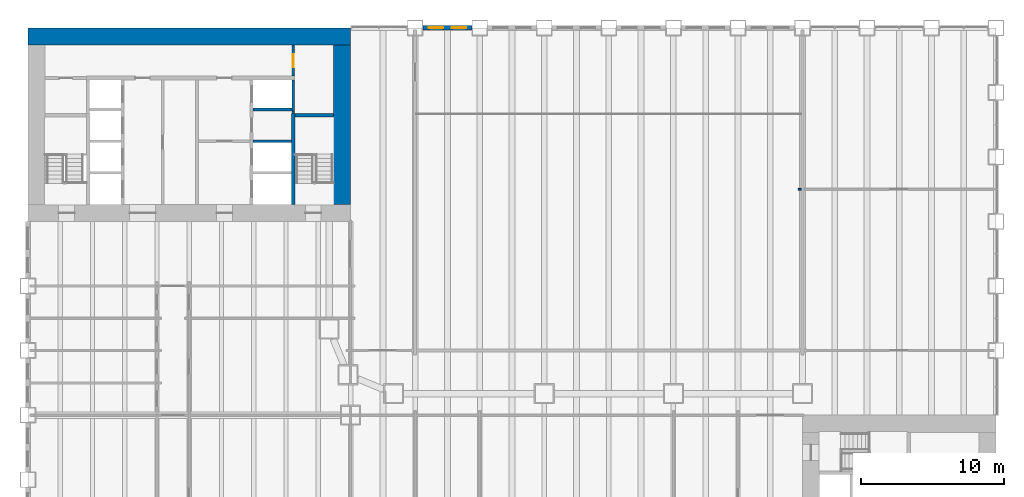
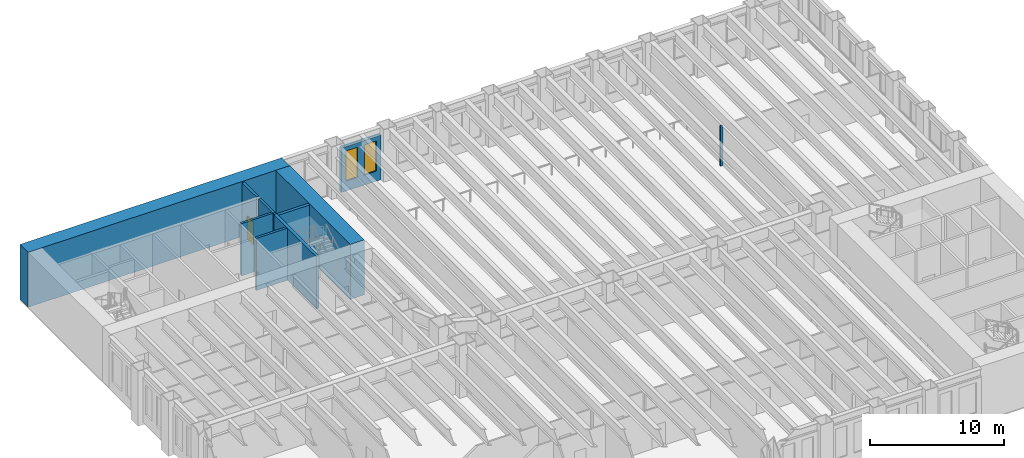
# One storey, part 13 of 19: 11 walls, 2 windows, 1 door, 3 openings.
"""IFC4 building model written with IfcOpenShell, lengths in metres."""

from ifc_helpers import new_model, si_unit, direction, frame, frame_2d, origin, place, context, subcontext, project, spatial, rectangle, extrude, material, layer, layer_set, type_object, element, fill, save


model = new_model("IFC4")

# Units and contexts
model_context = context("Model", 3, precision=1e-05, world=origin(), true_north=direction((0.0, 1.0)))
body_context = subcontext(model_context, "Body", "Model", "MODEL_VIEW")
ifc_project = project(units=[si_unit("LENGTHUNIT", "METRE"), si_unit("AREAUNIT", "SQUARE_METRE"), si_unit("VOLUMEUNIT", "CUBIC_METRE"), si_unit("PLANEANGLEUNIT", "RADIAN"), si_unit("MASSUNIT", "GRAM", prefix="KILO")], contexts=[model_context])

# Site, building, storey
site_placement = place(None, origin())
site = spatial("IfcSite", under=ifc_project, at=site_placement, CompositionType="ELEMENT")
building_placement = place(site_placement, origin())
building = spatial("IfcBuilding", under=site, at=building_placement, Name="Sennacour Bend Tower", CompositionType="ELEMENT")
storey_placement = place(building_placement, frame((0.0, 0.0, 14.0)))
storey = spatial("IfcBuildingStorey", under=building, at=storey_placement, Name="L02", CompositionType="ELEMENT", Elevation=14.0)

# Walls
ifc_material_1 = material(Name="Concrete C80/95", Category="concrete")
ifc_layer_1 = layer(ifc_material_1, 1.199951171875, Name="Concrete C80/95", Category="concrete")
ifc_layer_set_1 = layer_set([ifc_layer_1], Name="Concrete C80/95")
wall_type_1 = type_object("IfcWallType", Name="Core wall 1200 C80/95", PredefinedType="SHEAR", material=ifc_layer_set_1)
wall_1_placement = place(storey_placement, frame((0.0, 48.89990234375, -0.14990234375), z_axis=(0.0, 0.0, 1.0), x_axis=(1.0, 0.0, 0.0)))
element("IfcWall", 1, at=wall_1_placement, inside=storey, type_object=wall_type_1, Name="Core B wall L02 N", PredefinedType="SHEAR", context=body_context, shape_type="SweptSolid", body=[
    extrude(rectangle(XDim=22.5, YDim=1.199951171875, at=frame_2d((11.25, 0.0))), origin(), (0.0, 0.0, 1.0), 5.0),
])
wall_2_placement = place(storey_placement, frame((21.89990234375, 37.199951171875, -0.14990234375), z_axis=(0.0, 0.0, 1.0), x_axis=(0.0, 1.0, 0.0)))
element("IfcWall", 2, at=wall_2_placement, inside=storey, type_object=wall_type_1, Name="Core B wall L02 E", PredefinedType="SHEAR", context=body_context, shape_type="SweptSolid", body=[
    extrude(rectangle(XDim=11.10009765625, YDim=1.199951171875, at=frame_2d((5.550048828125, 0.0))), origin(), (0.0, 0.0, 1.0), 5.0),
])
ifc_material_2 = material(Name="Plasterboard partition on steel studs", Category="steel")
ifc_layer_2 = layer(ifc_material_2, 0.1201171875, Name="Plasterboard partition on steel studs", Category="steel")
ifc_layer_set_2 = layer_set([ifc_layer_2], Name="Plasterboard partition on steel studs")
wall_type_2 = type_object("IfcWallType", Name="Partition 120", PredefinedType="PARTITIONING", material=ifc_layer_set_2)
wall_3_placement = place(storey_placement, frame((53.699951171875, 38.25, 0.0), z_axis=(0.0, 0.0, 1.0), x_axis=(1.0, 0.0, 0.0)))
element("IfcWall", 3, at=wall_3_placement, inside=storey, type_object=wall_type_2, Name="P-L02-W070aa", PredefinedType="PARTITIONING", context=body_context, shape_type="SweptSolid", body=[
    extrude(rectangle(XDim=0.199951171875, YDim=0.1201171875, at=frame_2d((0.10009765625, 0.0))), origin(), (0.0, 0.0, 1.0), 3.66015625),
])
ifc_material_3 = material(Name="Fire-rated plasterboard partition on steel studs", Category="steel")
ifc_layer_3 = layer(ifc_material_3, 0.199951171875, Name="Fire-rated plasterboard partition on steel studs", Category="steel")
ifc_layer_set_3 = layer_set([ifc_layer_3], Name="Fire-rated plasterboard partition on steel studs")
wall_type_3 = type_object("IfcWallType", Name="Rated partition 200", PredefinedType="PARTITIONING", material=ifc_layer_set_3)
wall_4_placement = place(storey_placement, frame((18.5, 43.52490234375, 0.0), z_axis=(0.0, 0.0, 1.0), x_axis=(0.0, 1.0, 0.0)))
element("IfcWall", 4, at=wall_4_placement, inside=storey, type_object=wall_type_3, Name="P-L02-W017", PredefinedType="PARTITIONING", context=body_context, shape_type="SweptSolid", body=[
    extrude(rectangle(XDim=0.175048828125, YDim=0.199951171875, at=frame_2d((0.08740234375, 0.0))), origin(), (0.0, 0.0, 1.0), 4.75),
])

# Wall, opening, door
wall_5_placement = place(storey_placement, frame((18.5, 46.14990234375, 0.0), z_axis=(0.0, 0.0, 1.0), x_axis=(0.0, 1.0, 0.0)))
wall_5 = element("IfcWall", 5, at=wall_5_placement, inside=storey, type_object=wall_type_3, Name="P-L02-W019", PredefinedType="PARTITIONING", context=body_context, shape_type="SweptSolid", body=[
    extrude(rectangle(XDim=2.150146484375, YDim=0.199951171875, at=frame_2d((1.0751953125, 0.0))), origin(), (0.0, 0.0, 1.0), 4.75),
])
opening_1_placement = place(wall_5_placement, frame((0.60009765625, 0.0, 0.0)))
opening_1 = element("IfcOpeningElement", 6, at=opening_1_placement, cuts=wall_5, Name="Opening SV", PredefinedType="OPENING", context=body_context, shape_type="SweptSolid", body=[
    extrude(rectangle(XDim=0.89990234375, YDim=2.10009765625, at=frame_2d((0.449951171875, 1.050048828125))), frame((0.0, 0.10986328125, 0.0), z_axis=(0.0, -1.0, 0.0), x_axis=(1.0, 0.0, 0.0)), (0.0, 0.0, 1.0), 0.219970703125),
])
ifc_material_4 = material(Name="Painted steel", Category="steel")
door_type = type_object("IfcDoorType", Name="DR-SERVICE-900", OperationType="NOTDEFINED", PredefinedType="DOOR", material=ifc_material_4)
door_placement = place(opening_1_placement, origin())
door = element("IfcDoor", 7, at=door_placement, inside=storey, type_object=door_type, Name="Door", OperationType="SINGLE_SWING_LEFT", OverallHeight=2.10009765625, OverallWidth=0.89990234375, PredefinedType="DOOR", context=body_context, shape_type="SweptSolid", body=[
    extrude(rectangle(XDim=0.89990234375, YDim=2.10009765625, at=frame_2d((0.449951171875, 1.050048828125))), frame((0.0, 0.02490234375, 0.0), z_axis=(0.0, -1.0, 0.0), x_axis=(1.0, 0.0, 0.0)), (0.0, 0.0, 1.0), 0.050048828125),
])
fill(opening_1, door)

# Wall, openings, windows
ifc_material_5 = material(Name="Warm limestone cladding", Category="masonry")
ifc_layer_4 = layer(ifc_material_5, 0.050048828125, Name="Warm limestone cladding", Category="masonry")
ifc_material_6 = material(Name="Precast concrete C40/50", Category="concrete")
ifc_layer_5 = layer(ifc_material_6, 0.25, Name="Precast concrete C40/50", Category="concrete")
ifc_layer_set_4 = layer_set([ifc_layer_4, ifc_layer_5], Name="Precast concrete C40/50 with limestone cladding")
wall_type_4 = type_object("IfcWallType", Name="STONE-CLAD PRECAST SPANDREL 300", PredefinedType="STANDARD", material=ifc_layer_set_4)
wall_6_placement = place(storey_placement, frame((30.949951171875, 49.5, 0.0), z_axis=(0.0, 0.0, 1.0), x_axis=(-1.0, 0.0, 0.0)))
wall_6 = element("IfcWall", 8, at=wall_6_placement, inside=storey, type_object=wall_type_4, Name="Stone spandrel and pier wall L02 01.08", PredefinedType="STANDARD", context=body_context, shape_type="SweptSolid", body=[
    extrude(rectangle(XDim=3.39990234375, YDim=0.300048828125, at=frame_2d((1.699951171875, 0.0))), origin(), (0.0, 0.0, 1.0), 4.035888671875),
])
opening_2_placement = place(wall_6_placement, frame((0.39990234375, 0.0, 0.89990234375)))
opening_2 = element("IfcOpeningElement", 9, at=opening_2_placement, cuts=wall_6, Name="Opening W3", PredefinedType="OPENING", context=body_context, shape_type="SweptSolid", body=[
    extrude(rectangle(XDim=1.0, YDim=2.75, at=frame_2d((0.5, 1.375))), frame((0.0, 0.16015625, 0.0), z_axis=(0.0, -1.0, 0.0), x_axis=(1.0, 0.0, 0.0)), (0.0, 0.0, 1.0), 0.320068359375),
])
opening_3_placement = place(wall_6_placement, frame((2.0, 0.0, 0.89990234375)))
opening_3 = element("IfcOpeningElement", 10, at=opening_3_placement, cuts=wall_6, Name="Opening W3", PredefinedType="OPENING", context=body_context, shape_type="SweptSolid", body=[
    extrude(rectangle(XDim=1.0, YDim=2.75, at=frame_2d((0.5, 1.375))), frame((0.0, 0.16015625, 0.0), z_axis=(0.0, -1.0, 0.0), x_axis=(1.0, 0.0, 0.0)), (0.0, 0.0, 1.0), 0.320068359375),
])
ifc_material_7 = material(Name="Clear low-emissivity glass", Category="glass")
window_type = type_object("IfcWindowType", Name="WIN-RIBBON-1000x2750", PartitioningType="SINGLE_PANEL", PredefinedType="WINDOW", material=ifc_material_7)
window_1_placement = place(opening_2_placement, origin())
window_1 = element("IfcWindow", 11, at=window_1_placement, inside=storey, type_object=window_type, Name="Ribbon window L02 01.08.0", OverallHeight=2.75, OverallWidth=1.0, PartitioningType="SINGLE_PANEL", PredefinedType="WINDOW", context=body_context, shape_type="SweptSolid", body=[
    extrude(rectangle(XDim=1.0, YDim=2.75, at=frame_2d((0.5, 1.375))), frame((0.0, 0.030029296875, 0.0), z_axis=(0.0, -1.0, 0.0), x_axis=(1.0, 0.0, 0.0)), (0.0, 0.0, 1.0), 0.06005859375),
])
fill(opening_2, window_1)
window_2_placement = place(opening_3_placement, origin())
window_2 = element("IfcWindow", 12, at=window_2_placement, inside=storey, type_object=window_type, Name="Ribbon window L02 01.08.1", OverallHeight=2.75, OverallWidth=1.0, PartitioningType="SINGLE_PANEL", PredefinedType="WINDOW", context=body_context, shape_type="SweptSolid", body=[
    extrude(rectangle(XDim=1.0, YDim=2.75, at=frame_2d((0.5, 1.375))), frame((0.0, 0.030029296875, 0.0), z_axis=(0.0, -1.0, 0.0), x_axis=(1.0, 0.0, 0.0)), (0.0, 0.0, 1.0), 0.06005859375),
])
fill(opening_3, window_2)

# Walls
ifc_material_8 = material(Name="Concrete C50/60", Category="concrete")
ifc_layer_6 = layer(ifc_material_8, 0.199951171875, Name="Concrete C50/60", Category="concrete")
ifc_layer_set_5 = layer_set([ifc_layer_6], Name="Concrete C50/60")
wall_type_5 = type_object("IfcWallType", Name="Shaft wall 200", PredefinedType="SOLIDWALL", material=ifc_layer_set_5)
wall_7_placement = place(storey_placement, frame((18.5, 43.699951171875, 0.0), z_axis=(0.0, 0.0, 1.0), x_axis=(0.0, 1.0, 0.0)))
element("IfcWall", 13, at=wall_7_placement, inside=storey, type_object=wall_type_5, Name="P-L02-W018", PredefinedType="SOLIDWALL", context=body_context, shape_type="SweptSolid", body=[
    extrude(rectangle(XDim=2.150146484375, YDim=0.199951171875, at=frame_2d((1.0751953125, 0.0))), origin(), (0.0, 0.0, 1.0), 4.75),
])
wall_8_placement = place(storey_placement, frame((15.699951171875, 41.60009765625, 0.0), z_axis=(0.0, 0.0, 1.0), x_axis=(1.0, 0.0, 0.0)))
element("IfcWall", 14, at=wall_8_placement, inside=storey, type_object=wall_type_5, Name="P-L02-W075", PredefinedType="SOLIDWALL", context=body_context, shape_type="SweptSolid", body=[
    extrude(rectangle(XDim=2.675048828125, YDim=0.199951171875, at=frame_2d((1.33740234375, 0.0))), origin(), (0.0, 0.0, 1.0), 4.75),
])
wall_9_placement = place(storey_placement, frame((15.699951171875, 43.800048828125, 0.0), z_axis=(0.0, 0.0, 1.0), x_axis=(1.0, 0.0, 0.0)))
element("IfcWall", 15, at=wall_9_placement, inside=storey, type_object=wall_type_5, Name="P-L02-W079", PredefinedType="SOLIDWALL", context=body_context, shape_type="SweptSolid", body=[
    extrude(rectangle(XDim=2.699951171875, YDim=0.199951171875, at=frame_2d((1.35009765625, 0.0))), origin(), (0.0, 0.0, 1.0), 4.75),
])
ifc_material_9 = material(Name="Concrete C60/75", Category="concrete")
ifc_layer_7 = layer(ifc_material_9, 0.25, Name="Concrete C60/75", Category="concrete")
ifc_layer_set_6 = layer_set([ifc_layer_7], Name="Concrete C60/75")
wall_type_6 = type_object("IfcWallType", Name="Stair wall 250", PredefinedType="SHEAR", material=ifc_layer_set_6)
wall_10_placement = place(storey_placement, frame((18.5, 37.199951171875, 0.0), z_axis=(0.0, 0.0, 1.0), x_axis=(0.0, 1.0, 0.0)))
element("IfcWall", 16, at=wall_10_placement, inside=storey, type_object=wall_type_6, Name="P-L02-W016", PredefinedType="SHEAR", context=body_context, shape_type="SweptSolid", body=[
    extrude(rectangle(XDim=6.324951171875, YDim=0.25, at=frame_2d((3.16259765625, 0.0))), origin(), (0.0, 0.0, 1.0), 4.75),
])
wall_11_placement = place(storey_placement, frame((18.625, 43.39990234375, 0.0), z_axis=(0.0, 0.0, 1.0), x_axis=(1.0, 0.0, 0.0)))
element("IfcWall", 17, at=wall_11_placement, inside=storey, type_object=wall_type_6, Name="P-L02-W077", PredefinedType="SHEAR", context=body_context, shape_type="SweptSolid", body=[
    extrude(rectangle(XDim=2.675048828125, YDim=0.25, at=frame_2d((1.33740234375, 0.0))), origin(), (0.0, 0.0, 1.0), 4.75),
])

save(model, "model.ifc")
